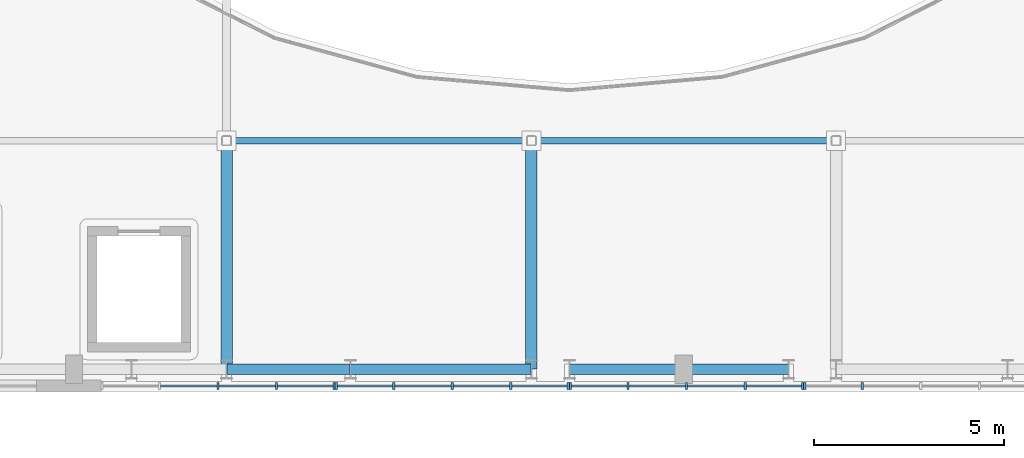
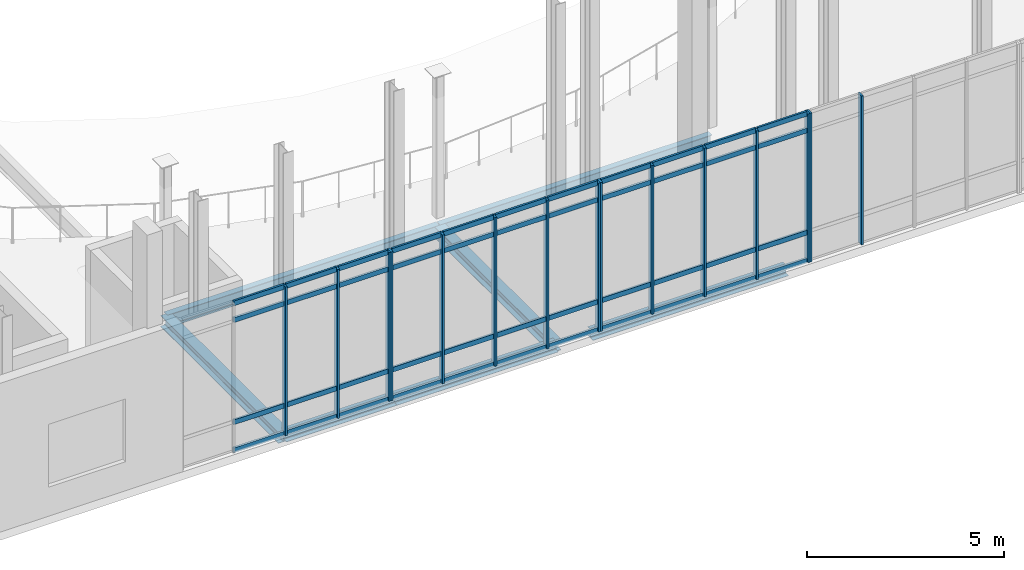
# One storey, part 22 of 86: 59 members, 7 beams, 4 elements without a shape of their own.
"""IFC4 building model written with IfcOpenShell, lengths in metres."""

from ifc_helpers import new_model, si_unit, direction, frame, origin, origin_2d, place, context, subcontext, project, spatial, rectangle, i_section, extrude, material, material_profile, profile_set, type_object, element, aggregate, save


model = new_model("IFC4")

# Units and contexts
model_context = context("Model", 3, precision=1e-05, world=origin(), true_north=direction((0.0, 1.0)))
body_context = subcontext(model_context, "Body", "Model", "MODEL_VIEW")
ifc_project = project(units=[si_unit("LENGTHUNIT", "METRE"), si_unit("AREAUNIT", "SQUARE_METRE"), si_unit("VOLUMEUNIT", "CUBIC_METRE"), si_unit("PLANEANGLEUNIT", "RADIAN"), si_unit("MASSUNIT", "GRAM", prefix="KILO")], contexts=[model_context])

# Site, building, storey
site_placement = place(None, origin())
site = spatial("IfcSite", under=ifc_project, at=site_placement, CompositionType="ELEMENT")
building_placement = place(site_placement, origin())
building = spatial("IfcBuilding", under=site, at=building_placement, Name="Cymarion Research Institute", CompositionType="ELEMENT")
storey_placement = place(building_placement, frame((0.0, 0.0, 13.800048828125)))
storey = spatial("IfcBuildingStorey", under=building, at=storey_placement, Name="L03", CompositionType="ELEMENT", Elevation=13.800048828125)

# Curtain wall, members
ifc_material_1 = material(Name="Anodised aluminium unitised curtain wall with Low-E glazing", Category="aluminium")
curtain_wall_type = type_object("IfcCurtainWallType", Name="UNITISED CURTAIN WALL CW27 6150X4620", PredefinedType="NOTDEFINED", material=ifc_material_1)
curtain_wall_1_placement = place(storey_placement, origin())
curtain_wall_1 = element("IfcCurtainWall", 1, at=curtain_wall_1_placement, inside=storey, type_object=curtain_wall_type, Name="L03 V2 unitised curtain wall CW27 #131", PredefinedType="NOTDEFINED")
ifc_material_2 = material(Name="Anodised aluminium framing", Category="aluminium")
ifc_material_profile_1 = material_profile(ifc_material_2, rectangle(XDim=0.06005859375, YDim=0.179931640625, at=origin_2d()), Name="ALU MULLION 60x180")
ifc_profile_set_1 = profile_set([ifc_material_profile_1], Name="Anodised aluminium framing")
member_type_1 = type_object("IfcMemberType", Name="CURTAIN WALL MULLION ML01 60X180", PredefinedType="MULLION", material=ifc_profile_set_1)
member_1_placement = place(storey_placement, frame((70.375732421875, 5.06005859375, 0.0), z_axis=(0.0, 0.0, 1.0), x_axis=(1.0, 0.0, 0.0)))
member_1 = element("IfcMember", 2, at=member_1_placement, type_object=member_type_1, Name="CW27 mullion 3", PredefinedType="MULLION", context=body_context, shape_type="SweptSolid", body=[
    extrude(rectangle(XDim=0.06005859375, YDim=0.179931640625, at=origin_2d()), origin(), (0.0, 0.0, 1.0), 4.619873046875),
])
member_2_placement = place(storey_placement, frame((71.9130859375, 5.06005859375, 0.0), z_axis=(0.0, 0.0, 1.0), x_axis=(1.0, 0.0, 0.0)))
member_2 = element("IfcMember", 3, at=member_2_placement, type_object=member_type_1, Name="CW27 mullion 4", PredefinedType="MULLION", context=body_context, shape_type="SweptSolid", body=[
    extrude(rectangle(XDim=0.06005859375, YDim=0.179931640625, at=origin_2d()), origin(), (0.0, 0.0, 1.0), 4.619873046875),
])
member_3_placement = place(storey_placement, frame((73.42041015625, 5.06005859375, 0.0), z_axis=(0.0, 0.0, 1.0), x_axis=(1.0, 0.0, 0.0)))
member_3 = element("IfcMember", 4, at=member_3_placement, type_object=member_type_1, Name="CW27 mullion 5", PredefinedType="MULLION", context=body_context, shape_type="SweptSolid", body=[
    extrude(rectangle(XDim=0.06005859375, YDim=0.179931640625, at=origin_2d()), origin(), (0.0, 0.0, 1.0), 4.619873046875),
])

curtain_wall_2_placement = place(storey_placement, origin())
curtain_wall_2 = element("IfcCurtainWall", 5, at=curtain_wall_2_placement, inside=storey, type_object=curtain_wall_type, Name="L03 V2 unitised curtain wall CW27 #132", PredefinedType="NOTDEFINED")
member_4_placement = place(storey_placement, frame((73.48046875, 5.06005859375, 0.0), z_axis=(0.0, 0.0, 1.0), x_axis=(1.0, 0.0, 0.0)))
member_4 = element("IfcMember", 6, at=member_4_placement, type_object=member_type_1, Name="CW27 mullion 1", PredefinedType="MULLION", context=body_context, shape_type="SweptSolid", body=[
    extrude(rectangle(XDim=0.06005859375, YDim=0.179931640625, at=origin_2d()), origin(), (0.0, 0.0, 1.0), 4.619873046875),
])
member_5_placement = place(storey_placement, frame((74.98779296875, 5.06005859375, 0.0), z_axis=(0.0, 0.0, 1.0), x_axis=(1.0, 0.0, 0.0)))
member_5 = element("IfcMember", 7, at=member_5_placement, type_object=member_type_1, Name="CW27 mullion 2", PredefinedType="MULLION", context=body_context, shape_type="SweptSolid", body=[
    extrude(rectangle(XDim=0.06005859375, YDim=0.179931640625, at=origin_2d()), origin(), (0.0, 0.0, 1.0), 4.619873046875),
])
member_6_placement = place(storey_placement, frame((76.525146484375, 5.06005859375, 0.0), z_axis=(0.0, 0.0, 1.0), x_axis=(1.0, 0.0, 0.0)))
member_6 = element("IfcMember", 8, at=member_6_placement, type_object=member_type_1, Name="CW27 mullion 3", PredefinedType="MULLION", context=body_context, shape_type="SweptSolid", body=[
    extrude(rectangle(XDim=0.06005859375, YDim=0.179931640625, at=origin_2d()), origin(), (0.0, 0.0, 1.0), 4.619873046875),
])
member_7_placement = place(storey_placement, frame((78.062744140625, 5.06005859375, 0.0), z_axis=(0.0, 0.0, 1.0), x_axis=(1.0, 0.0, 0.0)))
member_7 = element("IfcMember", 9, at=member_7_placement, type_object=member_type_1, Name="CW27 mullion 4", PredefinedType="MULLION", context=body_context, shape_type="SweptSolid", body=[
    extrude(rectangle(XDim=0.06005859375, YDim=0.179931640625, at=origin_2d()), origin(), (0.0, 0.0, 1.0), 4.619873046875),
])
member_8_placement = place(storey_placement, frame((79.570068359375, 5.06005859375, 0.0), z_axis=(0.0, 0.0, 1.0), x_axis=(1.0, 0.0, 0.0)))
member_8 = element("IfcMember", 10, at=member_8_placement, type_object=member_type_1, Name="CW27 mullion 5", PredefinedType="MULLION", context=body_context, shape_type="SweptSolid", body=[
    extrude(rectangle(XDim=0.06005859375, YDim=0.179931640625, at=origin_2d()), origin(), (0.0, 0.0, 1.0), 4.619873046875),
])

curtain_wall_3_placement = place(storey_placement, origin())
curtain_wall_3 = element("IfcCurtainWall", 11, at=curtain_wall_3_placement, inside=storey, type_object=curtain_wall_type, Name="L03 V2 unitised curtain wall CW27 #133", PredefinedType="NOTDEFINED")
member_9_placement = place(storey_placement, frame((79.6298828125, 5.06005859375, 0.0), z_axis=(0.0, 0.0, 1.0), x_axis=(1.0, 0.0, 0.0)))
member_9 = element("IfcMember", 12, at=member_9_placement, type_object=member_type_1, Name="CW27 mullion 1", PredefinedType="MULLION", context=body_context, shape_type="SweptSolid", body=[
    extrude(rectangle(XDim=0.06005859375, YDim=0.179931640625, at=origin_2d()), origin(), (0.0, 0.0, 1.0), 4.619873046875),
])
member_10_placement = place(storey_placement, frame((81.137451171875, 5.06005859375, 0.0), z_axis=(0.0, 0.0, 1.0), x_axis=(1.0, 0.0, 0.0)))
member_10 = element("IfcMember", 13, at=member_10_placement, type_object=member_type_1, Name="CW27 mullion 2", PredefinedType="MULLION", context=body_context, shape_type="SweptSolid", body=[
    extrude(rectangle(XDim=0.06005859375, YDim=0.179931640625, at=origin_2d()), origin(), (0.0, 0.0, 1.0), 4.619873046875),
])
member_11_placement = place(storey_placement, frame((82.6748046875, 5.06005859375, 0.0), z_axis=(0.0, 0.0, 1.0), x_axis=(1.0, 0.0, 0.0)))
member_11 = element("IfcMember", 14, at=member_11_placement, type_object=member_type_1, Name="CW27 mullion 3", PredefinedType="MULLION", context=body_context, shape_type="SweptSolid", body=[
    extrude(rectangle(XDim=0.06005859375, YDim=0.179931640625, at=origin_2d()), origin(), (0.0, 0.0, 1.0), 4.619873046875),
])
member_12_placement = place(storey_placement, frame((84.212158203125, 5.06005859375, 0.0), z_axis=(0.0, 0.0, 1.0), x_axis=(1.0, 0.0, 0.0)))
member_12 = element("IfcMember", 15, at=member_12_placement, type_object=member_type_1, Name="CW27 mullion 4", PredefinedType="MULLION", context=body_context, shape_type="SweptSolid", body=[
    extrude(rectangle(XDim=0.06005859375, YDim=0.179931640625, at=origin_2d()), origin(), (0.0, 0.0, 1.0), 4.619873046875),
])
member_13_placement = place(storey_placement, frame((85.719482421875, 5.06005859375, 0.0), z_axis=(0.0, 0.0, 1.0), x_axis=(1.0, 0.0, 0.0)))
member_13 = element("IfcMember", 16, at=member_13_placement, type_object=member_type_1, Name="CW27 mullion 5", PredefinedType="MULLION", context=body_context, shape_type="SweptSolid", body=[
    extrude(rectangle(XDim=0.06005859375, YDim=0.179931640625, at=origin_2d()), origin(), (0.0, 0.0, 1.0), 4.619873046875),
])

curtain_wall_4_placement = place(storey_placement, origin())
curtain_wall_4 = element("IfcCurtainWall", 17, at=curtain_wall_4_placement, inside=storey, type_object=curtain_wall_type, Name="L03 V2 unitised curtain wall CW27 #134", PredefinedType="NOTDEFINED")
member_14_placement = place(storey_placement, frame((85.779541015625, 5.06005859375, 0.0), z_axis=(0.0, 0.0, 1.0), x_axis=(1.0, 0.0, 0.0)))
member_14 = element("IfcMember", 18, at=member_14_placement, type_object=member_type_1, Name="CW27 mullion 1", PredefinedType="MULLION", context=body_context, shape_type="SweptSolid", body=[
    extrude(rectangle(XDim=0.06005859375, YDim=0.179931640625, at=origin_2d()), origin(), (0.0, 0.0, 1.0), 4.619873046875),
])
member_15_placement = place(storey_placement, frame((87.286865234375, 5.06005859375, 0.0), z_axis=(0.0, 0.0, 1.0), x_axis=(1.0, 0.0, 0.0)))
member_15 = element("IfcMember", 19, at=member_15_placement, type_object=member_type_1, Name="CW27 mullion 2", PredefinedType="MULLION", context=body_context, shape_type="SweptSolid", body=[
    extrude(rectangle(XDim=0.06005859375, YDim=0.179931640625, at=origin_2d()), origin(), (0.0, 0.0, 1.0), 4.619873046875),
])
aggregate(curtain_wall_4, [member_14, member_15])

# Member
ifc_material_profile_2 = material_profile(ifc_material_2, rectangle(XDim=0.06005859375, YDim=0.14990234375, at=origin_2d()), Name="ALU TRANSOM 60x150")
ifc_profile_set_2 = profile_set([ifc_material_profile_2], Name="Anodised aluminium framing")
member_type_2 = type_object("IfcMemberType", Name="CURTAIN WALL TRANSOM TR01 60X150", PredefinedType="USERDEFINED", material=ifc_profile_set_2)
member_16_placement = place(storey_placement, frame((68.868408203125, 5.06005859375, 0.030029296875), z_axis=(1.0, 0.0, 0.0), x_axis=(0.0, 1.0, 0.0)))
member_16 = element("IfcMember", 20, at=member_16_placement, type_object=member_type_2, Name="CW27 transom 2.1", ObjectType="TRANSOM", PredefinedType="USERDEFINED", context=body_context, shape_type="SweptSolid", body=[
    extrude(rectangle(XDim=0.06005859375, YDim=0.14990234375, at=origin_2d()), origin(), (0.0, 0.0, 1.0), 1.477294921875),
])

member_17_placement = place(storey_placement, frame((68.868408203125, 5.06005859375, 0.89990234375), z_axis=(1.0, 0.0, 0.0), x_axis=(0.0, 1.0, 0.0)))
member_17 = element("IfcMember", 21, at=member_17_placement, type_object=member_type_2, Name="CW27 transom 2.2", ObjectType="TRANSOM", PredefinedType="USERDEFINED", context=body_context, shape_type="SweptSolid", body=[
    extrude(rectangle(XDim=0.06005859375, YDim=0.14990234375, at=origin_2d()), origin(), (0.0, 0.0, 1.0), 1.477294921875),
])

member_18_placement = place(storey_placement, frame((68.868408203125, 5.06005859375, 4.070068359375), z_axis=(1.0, 0.0, 0.0), x_axis=(0.0, 1.0, 0.0)))
member_18 = element("IfcMember", 22, at=member_18_placement, type_object=member_type_2, Name="CW27 transom 2.3", ObjectType="TRANSOM", PredefinedType="USERDEFINED", context=body_context, shape_type="SweptSolid", body=[
    extrude(rectangle(XDim=0.06005859375, YDim=0.14990234375, at=origin_2d()), origin(), (0.0, 0.0, 1.0), 1.477294921875),
])

member_19_placement = place(storey_placement, frame((68.868408203125, 5.06005859375, 4.58984375), z_axis=(1.0, 0.0, 0.0), x_axis=(0.0, 1.0, 0.0)))
member_19 = element("IfcMember", 23, at=member_19_placement, type_object=member_type_2, Name="CW27 transom 2.4", ObjectType="TRANSOM", PredefinedType="USERDEFINED", context=body_context, shape_type="SweptSolid", body=[
    extrude(rectangle(XDim=0.06005859375, YDim=0.14990234375, at=origin_2d()), origin(), (0.0, 0.0, 1.0), 1.477294921875),
])

member_20_placement = place(storey_placement, frame((70.40576171875, 5.06005859375, 0.030029296875), z_axis=(1.0, 0.0, 0.0), x_axis=(0.0, 1.0, 0.0)))
member_20 = element("IfcMember", 24, at=member_20_placement, type_object=member_type_2, Name="CW27 transom 3.1", ObjectType="TRANSOM", PredefinedType="USERDEFINED", context=body_context, shape_type="SweptSolid", body=[
    extrude(rectangle(XDim=0.06005859375, YDim=0.14990234375, at=origin_2d()), origin(), (0.0, 0.0, 1.0), 1.477294921875),
])

member_21_placement = place(storey_placement, frame((70.40576171875, 5.06005859375, 0.89990234375), z_axis=(1.0, 0.0, 0.0), x_axis=(0.0, 1.0, 0.0)))
member_21 = element("IfcMember", 25, at=member_21_placement, type_object=member_type_2, Name="CW27 transom 3.2", ObjectType="TRANSOM", PredefinedType="USERDEFINED", context=body_context, shape_type="SweptSolid", body=[
    extrude(rectangle(XDim=0.06005859375, YDim=0.14990234375, at=origin_2d()), origin(), (0.0, 0.0, 1.0), 1.477294921875),
])

member_22_placement = place(storey_placement, frame((70.40576171875, 5.06005859375, 4.070068359375), z_axis=(1.0, 0.0, 0.0), x_axis=(0.0, 1.0, 0.0)))
member_22 = element("IfcMember", 26, at=member_22_placement, type_object=member_type_2, Name="CW27 transom 3.3", ObjectType="TRANSOM", PredefinedType="USERDEFINED", context=body_context, shape_type="SweptSolid", body=[
    extrude(rectangle(XDim=0.06005859375, YDim=0.14990234375, at=origin_2d()), origin(), (0.0, 0.0, 1.0), 1.477294921875),
])

member_23_placement = place(storey_placement, frame((70.40576171875, 5.06005859375, 4.58984375), z_axis=(1.0, 0.0, 0.0), x_axis=(0.0, 1.0, 0.0)))
member_23 = element("IfcMember", 27, at=member_23_placement, type_object=member_type_2, Name="CW27 transom 3.4", ObjectType="TRANSOM", PredefinedType="USERDEFINED", context=body_context, shape_type="SweptSolid", body=[
    extrude(rectangle(XDim=0.06005859375, YDim=0.14990234375, at=origin_2d()), origin(), (0.0, 0.0, 1.0), 1.477294921875),
])

member_24_placement = place(storey_placement, frame((71.943115234375, 5.06005859375, 0.030029296875), z_axis=(1.0, 0.0, 0.0), x_axis=(0.0, 1.0, 0.0)))
member_24 = element("IfcMember", 28, at=member_24_placement, type_object=member_type_2, Name="CW27 transom 4.1", ObjectType="TRANSOM", PredefinedType="USERDEFINED", context=body_context, shape_type="SweptSolid", body=[
    extrude(rectangle(XDim=0.06005859375, YDim=0.14990234375, at=origin_2d()), origin(), (0.0, 0.0, 1.0), 1.447265625),
])

member_25_placement = place(storey_placement, frame((71.943115234375, 5.06005859375, 0.89990234375), z_axis=(1.0, 0.0, 0.0), x_axis=(0.0, 1.0, 0.0)))
member_25 = element("IfcMember", 29, at=member_25_placement, type_object=member_type_2, Name="CW27 transom 4.2", ObjectType="TRANSOM", PredefinedType="USERDEFINED", context=body_context, shape_type="SweptSolid", body=[
    extrude(rectangle(XDim=0.06005859375, YDim=0.14990234375, at=origin_2d()), origin(), (0.0, 0.0, 1.0), 1.447265625),
])

member_26_placement = place(storey_placement, frame((71.943115234375, 5.06005859375, 4.070068359375), z_axis=(1.0, 0.0, 0.0), x_axis=(0.0, 1.0, 0.0)))
member_26 = element("IfcMember", 30, at=member_26_placement, type_object=member_type_2, Name="CW27 transom 4.3", ObjectType="TRANSOM", PredefinedType="USERDEFINED", context=body_context, shape_type="SweptSolid", body=[
    extrude(rectangle(XDim=0.06005859375, YDim=0.14990234375, at=origin_2d()), origin(), (0.0, 0.0, 1.0), 1.447265625),
])

member_27_placement = place(storey_placement, frame((71.943115234375, 5.06005859375, 4.58984375), z_axis=(1.0, 0.0, 0.0), x_axis=(0.0, 1.0, 0.0)))
member_27 = element("IfcMember", 31, at=member_27_placement, type_object=member_type_2, Name="CW27 transom 4.4", ObjectType="TRANSOM", PredefinedType="USERDEFINED", context=body_context, shape_type="SweptSolid", body=[
    extrude(rectangle(XDim=0.06005859375, YDim=0.14990234375, at=origin_2d()), origin(), (0.0, 0.0, 1.0), 1.447265625),
])

aggregate(curtain_wall_1, [member_1, member_2, member_3, member_16, member_17, member_18, member_19, member_20, member_21, member_22, member_23, member_24, member_25, member_26, member_27])

member_28_placement = place(storey_placement, frame((73.510498046875, 5.06005859375, 0.030029296875), z_axis=(1.0, 0.0, 0.0), x_axis=(0.0, 1.0, 0.0)))
member_28 = element("IfcMember", 32, at=member_28_placement, type_object=member_type_2, Name="CW27 transom 1.1", ObjectType="TRANSOM", PredefinedType="USERDEFINED", context=body_context, shape_type="SweptSolid", body=[
    extrude(rectangle(XDim=0.06005859375, YDim=0.14990234375, at=origin_2d()), origin(), (0.0, 0.0, 1.0), 1.447265625),
])

member_29_placement = place(storey_placement, frame((73.510498046875, 5.06005859375, 0.89990234375), z_axis=(1.0, 0.0, 0.0), x_axis=(0.0, 1.0, 0.0)))
member_29 = element("IfcMember", 33, at=member_29_placement, type_object=member_type_2, Name="CW27 transom 1.2", ObjectType="TRANSOM", PredefinedType="USERDEFINED", context=body_context, shape_type="SweptSolid", body=[
    extrude(rectangle(XDim=0.06005859375, YDim=0.14990234375, at=origin_2d()), origin(), (0.0, 0.0, 1.0), 1.447265625),
])

member_30_placement = place(storey_placement, frame((73.510498046875, 5.06005859375, 4.070068359375), z_axis=(1.0, 0.0, 0.0), x_axis=(0.0, 1.0, 0.0)))
member_30 = element("IfcMember", 34, at=member_30_placement, type_object=member_type_2, Name="CW27 transom 1.3", ObjectType="TRANSOM", PredefinedType="USERDEFINED", context=body_context, shape_type="SweptSolid", body=[
    extrude(rectangle(XDim=0.06005859375, YDim=0.14990234375, at=origin_2d()), origin(), (0.0, 0.0, 1.0), 1.447265625),
])

member_31_placement = place(storey_placement, frame((73.510498046875, 5.06005859375, 4.58984375), z_axis=(1.0, 0.0, 0.0), x_axis=(0.0, 1.0, 0.0)))
member_31 = element("IfcMember", 35, at=member_31_placement, type_object=member_type_2, Name="CW27 transom 1.4", ObjectType="TRANSOM", PredefinedType="USERDEFINED", context=body_context, shape_type="SweptSolid", body=[
    extrude(rectangle(XDim=0.06005859375, YDim=0.14990234375, at=origin_2d()), origin(), (0.0, 0.0, 1.0), 1.447265625),
])

member_32_placement = place(storey_placement, frame((75.017822265625, 5.06005859375, 0.030029296875), z_axis=(1.0, 0.0, 0.0), x_axis=(0.0, 1.0, 0.0)))
member_32 = element("IfcMember", 36, at=member_32_placement, type_object=member_type_2, Name="CW27 transom 2.1", ObjectType="TRANSOM", PredefinedType="USERDEFINED", context=body_context, shape_type="SweptSolid", body=[
    extrude(rectangle(XDim=0.06005859375, YDim=0.14990234375, at=origin_2d()), origin(), (0.0, 0.0, 1.0), 1.4775390625),
])

member_33_placement = place(storey_placement, frame((75.017822265625, 5.06005859375, 0.89990234375), z_axis=(1.0, 0.0, 0.0), x_axis=(0.0, 1.0, 0.0)))
member_33 = element("IfcMember", 37, at=member_33_placement, type_object=member_type_2, Name="CW27 transom 2.2", ObjectType="TRANSOM", PredefinedType="USERDEFINED", context=body_context, shape_type="SweptSolid", body=[
    extrude(rectangle(XDim=0.06005859375, YDim=0.14990234375, at=origin_2d()), origin(), (0.0, 0.0, 1.0), 1.4775390625),
])

member_34_placement = place(storey_placement, frame((75.017822265625, 5.06005859375, 4.070068359375), z_axis=(1.0, 0.0, 0.0), x_axis=(0.0, 1.0, 0.0)))
member_34 = element("IfcMember", 38, at=member_34_placement, type_object=member_type_2, Name="CW27 transom 2.3", ObjectType="TRANSOM", PredefinedType="USERDEFINED", context=body_context, shape_type="SweptSolid", body=[
    extrude(rectangle(XDim=0.06005859375, YDim=0.14990234375, at=origin_2d()), origin(), (0.0, 0.0, 1.0), 1.4775390625),
])

member_35_placement = place(storey_placement, frame((75.017822265625, 5.06005859375, 4.58984375), z_axis=(1.0, 0.0, 0.0), x_axis=(0.0, 1.0, 0.0)))
member_35 = element("IfcMember", 39, at=member_35_placement, type_object=member_type_2, Name="CW27 transom 2.4", ObjectType="TRANSOM", PredefinedType="USERDEFINED", context=body_context, shape_type="SweptSolid", body=[
    extrude(rectangle(XDim=0.06005859375, YDim=0.14990234375, at=origin_2d()), origin(), (0.0, 0.0, 1.0), 1.4775390625),
])

member_36_placement = place(storey_placement, frame((76.55517578125, 5.06005859375, 0.030029296875), z_axis=(1.0, 0.0, 0.0), x_axis=(0.0, 1.0, 0.0)))
member_36 = element("IfcMember", 40, at=member_36_placement, type_object=member_type_2, Name="CW27 transom 3.1", ObjectType="TRANSOM", PredefinedType="USERDEFINED", context=body_context, shape_type="SweptSolid", body=[
    extrude(rectangle(XDim=0.06005859375, YDim=0.14990234375, at=origin_2d()), origin(), (0.0, 0.0, 1.0), 1.4775390625),
])

member_37_placement = place(storey_placement, frame((76.55517578125, 5.06005859375, 0.89990234375), z_axis=(1.0, 0.0, 0.0), x_axis=(0.0, 1.0, 0.0)))
member_37 = element("IfcMember", 41, at=member_37_placement, type_object=member_type_2, Name="CW27 transom 3.2", ObjectType="TRANSOM", PredefinedType="USERDEFINED", context=body_context, shape_type="SweptSolid", body=[
    extrude(rectangle(XDim=0.06005859375, YDim=0.14990234375, at=origin_2d()), origin(), (0.0, 0.0, 1.0), 1.4775390625),
])

member_38_placement = place(storey_placement, frame((76.55517578125, 5.06005859375, 4.070068359375), z_axis=(1.0, 0.0, 0.0), x_axis=(0.0, 1.0, 0.0)))
member_38 = element("IfcMember", 42, at=member_38_placement, type_object=member_type_2, Name="CW27 transom 3.3", ObjectType="TRANSOM", PredefinedType="USERDEFINED", context=body_context, shape_type="SweptSolid", body=[
    extrude(rectangle(XDim=0.06005859375, YDim=0.14990234375, at=origin_2d()), origin(), (0.0, 0.0, 1.0), 1.4775390625),
])

member_39_placement = place(storey_placement, frame((76.55517578125, 5.06005859375, 4.58984375), z_axis=(1.0, 0.0, 0.0), x_axis=(0.0, 1.0, 0.0)))
member_39 = element("IfcMember", 43, at=member_39_placement, type_object=member_type_2, Name="CW27 transom 3.4", ObjectType="TRANSOM", PredefinedType="USERDEFINED", context=body_context, shape_type="SweptSolid", body=[
    extrude(rectangle(XDim=0.06005859375, YDim=0.14990234375, at=origin_2d()), origin(), (0.0, 0.0, 1.0), 1.4775390625),
])

member_40_placement = place(storey_placement, frame((78.092529296875, 5.06005859375, 0.030029296875), z_axis=(1.0, 0.0, 0.0), x_axis=(0.0, 1.0, 0.0)))
member_40 = element("IfcMember", 44, at=member_40_placement, type_object=member_type_2, Name="CW27 transom 4.1", ObjectType="TRANSOM", PredefinedType="USERDEFINED", context=body_context, shape_type="SweptSolid", body=[
    extrude(rectangle(XDim=0.06005859375, YDim=0.14990234375, at=origin_2d()), origin(), (0.0, 0.0, 1.0), 1.447509765625),
])

member_41_placement = place(storey_placement, frame((78.092529296875, 5.06005859375, 0.89990234375), z_axis=(1.0, 0.0, 0.0), x_axis=(0.0, 1.0, 0.0)))
member_41 = element("IfcMember", 45, at=member_41_placement, type_object=member_type_2, Name="CW27 transom 4.2", ObjectType="TRANSOM", PredefinedType="USERDEFINED", context=body_context, shape_type="SweptSolid", body=[
    extrude(rectangle(XDim=0.06005859375, YDim=0.14990234375, at=origin_2d()), origin(), (0.0, 0.0, 1.0), 1.447509765625),
])

member_42_placement = place(storey_placement, frame((78.092529296875, 5.06005859375, 4.070068359375), z_axis=(1.0, 0.0, 0.0), x_axis=(0.0, 1.0, 0.0)))
member_42 = element("IfcMember", 46, at=member_42_placement, type_object=member_type_2, Name="CW27 transom 4.3", ObjectType="TRANSOM", PredefinedType="USERDEFINED", context=body_context, shape_type="SweptSolid", body=[
    extrude(rectangle(XDim=0.06005859375, YDim=0.14990234375, at=origin_2d()), origin(), (0.0, 0.0, 1.0), 1.447509765625),
])

member_43_placement = place(storey_placement, frame((78.092529296875, 5.06005859375, 4.58984375), z_axis=(1.0, 0.0, 0.0), x_axis=(0.0, 1.0, 0.0)))
member_43 = element("IfcMember", 47, at=member_43_placement, type_object=member_type_2, Name="CW27 transom 4.4", ObjectType="TRANSOM", PredefinedType="USERDEFINED", context=body_context, shape_type="SweptSolid", body=[
    extrude(rectangle(XDim=0.06005859375, YDim=0.14990234375, at=origin_2d()), origin(), (0.0, 0.0, 1.0), 1.447509765625),
])

aggregate(curtain_wall_2, [member_4, member_5, member_6, member_7, member_8, member_28, member_29, member_30, member_31, member_32, member_33, member_34, member_35, member_36, member_37, member_38, member_39, member_40, member_41, member_42, member_43])

member_44_placement = place(storey_placement, frame((79.659912109375, 5.06005859375, 0.030029296875), z_axis=(1.0, 0.0, 0.0), x_axis=(0.0, 1.0, 0.0)))
member_44 = element("IfcMember", 48, at=member_44_placement, type_object=member_type_2, Name="CW27 transom 1.1", ObjectType="TRANSOM", PredefinedType="USERDEFINED", context=body_context, shape_type="SweptSolid", body=[
    extrude(rectangle(XDim=0.06005859375, YDim=0.14990234375, at=origin_2d()), origin(), (0.0, 0.0, 1.0), 1.447509765625),
])

member_45_placement = place(storey_placement, frame((79.659912109375, 5.06005859375, 0.89990234375), z_axis=(1.0, 0.0, 0.0), x_axis=(0.0, 1.0, 0.0)))
member_45 = element("IfcMember", 49, at=member_45_placement, type_object=member_type_2, Name="CW27 transom 1.2", ObjectType="TRANSOM", PredefinedType="USERDEFINED", context=body_context, shape_type="SweptSolid", body=[
    extrude(rectangle(XDim=0.06005859375, YDim=0.14990234375, at=origin_2d()), origin(), (0.0, 0.0, 1.0), 1.447509765625),
])

member_46_placement = place(storey_placement, frame((79.659912109375, 5.06005859375, 4.070068359375), z_axis=(1.0, 0.0, 0.0), x_axis=(0.0, 1.0, 0.0)))
member_46 = element("IfcMember", 50, at=member_46_placement, type_object=member_type_2, Name="CW27 transom 1.3", ObjectType="TRANSOM", PredefinedType="USERDEFINED", context=body_context, shape_type="SweptSolid", body=[
    extrude(rectangle(XDim=0.06005859375, YDim=0.14990234375, at=origin_2d()), origin(), (0.0, 0.0, 1.0), 1.447509765625),
])

member_47_placement = place(storey_placement, frame((79.659912109375, 5.06005859375, 4.58984375), z_axis=(1.0, 0.0, 0.0), x_axis=(0.0, 1.0, 0.0)))
member_47 = element("IfcMember", 51, at=member_47_placement, type_object=member_type_2, Name="CW27 transom 1.4", ObjectType="TRANSOM", PredefinedType="USERDEFINED", context=body_context, shape_type="SweptSolid", body=[
    extrude(rectangle(XDim=0.06005859375, YDim=0.14990234375, at=origin_2d()), origin(), (0.0, 0.0, 1.0), 1.447509765625),
])

member_48_placement = place(storey_placement, frame((81.16748046875, 5.06005859375, 0.030029296875), z_axis=(1.0, 0.0, 0.0), x_axis=(0.0, 1.0, 0.0)))
member_48 = element("IfcMember", 52, at=member_48_placement, type_object=member_type_2, Name="CW27 transom 2.1", ObjectType="TRANSOM", PredefinedType="USERDEFINED", context=body_context, shape_type="SweptSolid", body=[
    extrude(rectangle(XDim=0.06005859375, YDim=0.14990234375, at=origin_2d()), origin(), (0.0, 0.0, 1.0), 1.477294921875),
])

member_49_placement = place(storey_placement, frame((81.16748046875, 5.06005859375, 0.89990234375), z_axis=(1.0, 0.0, 0.0), x_axis=(0.0, 1.0, 0.0)))
member_49 = element("IfcMember", 53, at=member_49_placement, type_object=member_type_2, Name="CW27 transom 2.2", ObjectType="TRANSOM", PredefinedType="USERDEFINED", context=body_context, shape_type="SweptSolid", body=[
    extrude(rectangle(XDim=0.06005859375, YDim=0.14990234375, at=origin_2d()), origin(), (0.0, 0.0, 1.0), 1.477294921875),
])

member_50_placement = place(storey_placement, frame((81.16748046875, 5.06005859375, 4.070068359375), z_axis=(1.0, 0.0, 0.0), x_axis=(0.0, 1.0, 0.0)))
member_50 = element("IfcMember", 54, at=member_50_placement, type_object=member_type_2, Name="CW27 transom 2.3", ObjectType="TRANSOM", PredefinedType="USERDEFINED", context=body_context, shape_type="SweptSolid", body=[
    extrude(rectangle(XDim=0.06005859375, YDim=0.14990234375, at=origin_2d()), origin(), (0.0, 0.0, 1.0), 1.477294921875),
])

member_51_placement = place(storey_placement, frame((81.16748046875, 5.06005859375, 4.58984375), z_axis=(1.0, 0.0, 0.0), x_axis=(0.0, 1.0, 0.0)))
member_51 = element("IfcMember", 55, at=member_51_placement, type_object=member_type_2, Name="CW27 transom 2.4", ObjectType="TRANSOM", PredefinedType="USERDEFINED", context=body_context, shape_type="SweptSolid", body=[
    extrude(rectangle(XDim=0.06005859375, YDim=0.14990234375, at=origin_2d()), origin(), (0.0, 0.0, 1.0), 1.477294921875),
])

member_52_placement = place(storey_placement, frame((82.704833984375, 5.06005859375, 0.030029296875), z_axis=(1.0, 0.0, 0.0), x_axis=(0.0, 1.0, 0.0)))
member_52 = element("IfcMember", 56, at=member_52_placement, type_object=member_type_2, Name="CW27 transom 3.1", ObjectType="TRANSOM", PredefinedType="USERDEFINED", context=body_context, shape_type="SweptSolid", body=[
    extrude(rectangle(XDim=0.06005859375, YDim=0.14990234375, at=origin_2d()), origin(), (0.0, 0.0, 1.0), 1.477294921875),
])

member_53_placement = place(storey_placement, frame((82.704833984375, 5.06005859375, 0.89990234375), z_axis=(1.0, 0.0, 0.0), x_axis=(0.0, 1.0, 0.0)))
member_53 = element("IfcMember", 57, at=member_53_placement, type_object=member_type_2, Name="CW27 transom 3.2", ObjectType="TRANSOM", PredefinedType="USERDEFINED", context=body_context, shape_type="SweptSolid", body=[
    extrude(rectangle(XDim=0.06005859375, YDim=0.14990234375, at=origin_2d()), origin(), (0.0, 0.0, 1.0), 1.477294921875),
])

member_54_placement = place(storey_placement, frame((82.704833984375, 5.06005859375, 4.070068359375), z_axis=(1.0, 0.0, 0.0), x_axis=(0.0, 1.0, 0.0)))
member_54 = element("IfcMember", 58, at=member_54_placement, type_object=member_type_2, Name="CW27 transom 3.3", ObjectType="TRANSOM", PredefinedType="USERDEFINED", context=body_context, shape_type="SweptSolid", body=[
    extrude(rectangle(XDim=0.06005859375, YDim=0.14990234375, at=origin_2d()), origin(), (0.0, 0.0, 1.0), 1.477294921875),
])

member_55_placement = place(storey_placement, frame((82.704833984375, 5.06005859375, 4.58984375), z_axis=(1.0, 0.0, 0.0), x_axis=(0.0, 1.0, 0.0)))
member_55 = element("IfcMember", 59, at=member_55_placement, type_object=member_type_2, Name="CW27 transom 3.4", ObjectType="TRANSOM", PredefinedType="USERDEFINED", context=body_context, shape_type="SweptSolid", body=[
    extrude(rectangle(XDim=0.06005859375, YDim=0.14990234375, at=origin_2d()), origin(), (0.0, 0.0, 1.0), 1.477294921875),
])

member_56_placement = place(storey_placement, frame((84.2421875, 5.06005859375, 0.030029296875), z_axis=(1.0, 0.0, 0.0), x_axis=(0.0, 1.0, 0.0)))
member_56 = element("IfcMember", 60, at=member_56_placement, type_object=member_type_2, Name="CW27 transom 4.1", ObjectType="TRANSOM", PredefinedType="USERDEFINED", context=body_context, shape_type="SweptSolid", body=[
    extrude(rectangle(XDim=0.06005859375, YDim=0.14990234375, at=origin_2d()), origin(), (0.0, 0.0, 1.0), 1.447265625),
])

member_57_placement = place(storey_placement, frame((84.2421875, 5.06005859375, 0.89990234375), z_axis=(1.0, 0.0, 0.0), x_axis=(0.0, 1.0, 0.0)))
member_57 = element("IfcMember", 61, at=member_57_placement, type_object=member_type_2, Name="CW27 transom 4.2", ObjectType="TRANSOM", PredefinedType="USERDEFINED", context=body_context, shape_type="SweptSolid", body=[
    extrude(rectangle(XDim=0.06005859375, YDim=0.14990234375, at=origin_2d()), origin(), (0.0, 0.0, 1.0), 1.447265625),
])

member_58_placement = place(storey_placement, frame((84.2421875, 5.06005859375, 4.070068359375), z_axis=(1.0, 0.0, 0.0), x_axis=(0.0, 1.0, 0.0)))
member_58 = element("IfcMember", 62, at=member_58_placement, type_object=member_type_2, Name="CW27 transom 4.3", ObjectType="TRANSOM", PredefinedType="USERDEFINED", context=body_context, shape_type="SweptSolid", body=[
    extrude(rectangle(XDim=0.06005859375, YDim=0.14990234375, at=origin_2d()), origin(), (0.0, 0.0, 1.0), 1.447265625),
])

member_59_placement = place(storey_placement, frame((84.2421875, 5.06005859375, 4.58984375), z_axis=(1.0, 0.0, 0.0), x_axis=(0.0, 1.0, 0.0)))
member_59 = element("IfcMember", 63, at=member_59_placement, type_object=member_type_2, Name="CW27 transom 4.4", ObjectType="TRANSOM", PredefinedType="USERDEFINED", context=body_context, shape_type="SweptSolid", body=[
    extrude(rectangle(XDim=0.06005859375, YDim=0.14990234375, at=origin_2d()), origin(), (0.0, 0.0, 1.0), 1.447265625),
])

aggregate(curtain_wall_3, [member_9, member_10, member_11, member_12, member_13, member_44, member_45, member_46, member_47, member_48, member_49, member_50, member_51, member_52, member_53, member_54, member_55, member_56, member_57, member_58, member_59])

# Beams
ifc_material_3 = material(Name="Steel S355", Category="steel")
ifc_material_profile_3 = material_profile(ifc_material_3, i_section(OverallWidth=0.179931640625, OverallDepth=0.39990234375, WebThickness=0.008544921875, FlangeThickness=0.013427734375, FilletRadius=0.02099609375, at=origin_2d()), Name="IPE 400")
ifc_profile_set_3 = profile_set([ifc_material_profile_3], Name="Steel S355")
beam_type_1 = type_object("IfcBeamType", Name="PRIMARY GIRDER BM05 IPE 400", PredefinedType="BEAM", material=ifc_profile_set_3)
for number, where, z_axis, x_axis, name in (
    (64, (70.60595703125, 11.5, -0.449951171875), (1.0, 0.0, 0.0), (0.0, 1.0, 0.0), "L03 V2 girder BM05 #1290"),
    (65, (78.60595703125, 11.5, -0.449951171875), (1.0, 0.0, 0.0), (0.0, 1.0, 0.0), "L03 V2 girder BM05 #1291"),
):
    element("IfcBeam", number, at=place(storey_placement, frame(where, z_axis=z_axis, x_axis=x_axis)), inside=storey, type_object=beam_type_1, Name=name, PredefinedType="BEAM", context=body_context, shape_type="SweptSolid", body=[
        extrude(i_section(OverallWidth=0.179931640625, OverallDepth=0.39990234375, WebThickness=0.008544921875, FlangeThickness=0.013427734375, FilletRadius=0.02099609375, at=origin_2d()), origin(), (0.0, 0.0, 1.0), 7.988037109375),
    ])
ifc_material_profile_4 = material_profile(ifc_material_3, i_section(OverallWidth=0.300048828125, OverallDepth=0.35009765625, WebThickness=0.010009765625, FlangeThickness=0.017578125, FilletRadius=0.027099609375, at=origin_2d()), Name="HEA 360")
ifc_profile_set_4 = profile_set([ifc_material_profile_4], Name="Steel S355")
beam_type_2 = type_object("IfcBeamType", Name="PRIMARY GIRDER BM12 HEA 360", PredefinedType="BEAM", material=ifc_profile_set_4)
for number, where, z_axis, x_axis, name in (
    (66, (70.60009765625, 5.506103515625, -0.425048828125), (0.0, 1.0, 0.0), (-1.0, 0.0, 0.0), "L03 V2 girder BM12 #1322"),
    (67, (78.60009765625, 5.506103515625, -0.425048828125), (0.0, 1.0, 0.0), (-1.0, 0.0, 0.0), "L03 V2 girder BM12 #1325"),
):
    element("IfcBeam", number, at=place(storey_placement, frame(where, z_axis=z_axis, x_axis=x_axis)), inside=storey, type_object=beam_type_2, Name=name, PredefinedType="BEAM", context=body_context, shape_type="SweptSolid", body=[
        extrude(i_section(OverallWidth=0.300048828125, OverallDepth=0.35009765625, WebThickness=0.010009765625, FlangeThickness=0.017578125, FilletRadius=0.027099609375, at=origin_2d()), origin(), (0.0, 0.0, 1.0), 5.98779296875),
    ])
ifc_material_profile_5 = material_profile(ifc_material_3, i_section(OverallWidth=0.280029296875, OverallDepth=0.27001953125, WebThickness=0.008056640625, FlangeThickness=0.012939453125, FilletRadius=0.02392578125, at=origin_2d()), Name="HEA 280")
ifc_profile_set_5 = profile_set([ifc_material_profile_5], Name="Steel S355")
beam_type_3 = type_object("IfcBeamType", Name="SPANDREL BEAM SPB02 HEA 280", PredefinedType="SPANDREL", material=ifc_profile_set_5)
beam_1_placement = place(storey_placement, frame((70.60595703125, 5.5, -0.385009765625), z_axis=(1.0, 0.0, 0.0), x_axis=(0.0, 1.0, 0.0)))
element("IfcBeam", 68, at=beam_1_placement, inside=storey, type_object=beam_type_3, Name="L03 V2 girder SPB02 #1281", PredefinedType="SPANDREL", context=body_context, shape_type="SweptSolid", body=[
    extrude(i_section(OverallWidth=0.280029296875, OverallDepth=0.27001953125, WebThickness=0.008056640625, FlangeThickness=0.012939453125, FilletRadius=0.02392578125, at=origin_2d()), origin(), (0.0, 0.0, 1.0), 3.238037109375),
])
beam_2_placement = place(storey_placement, frame((73.85595703125, 5.5, -0.385009765625), z_axis=(1.0, 0.0, 0.0), x_axis=(0.0, 1.0, 0.0)))
element("IfcBeam", 69, at=beam_2_placement, inside=storey, type_object=beam_type_3, Name="L03 V2 girder SPB02 #1282", PredefinedType="SPANDREL", context=body_context, shape_type="SweptSolid", body=[
    extrude(i_section(OverallWidth=0.280029296875, OverallDepth=0.27001953125, WebThickness=0.008056640625, FlangeThickness=0.012939453125, FilletRadius=0.02392578125, at=origin_2d()), origin(), (0.0, 0.0, 1.0), 4.738037109375),
])
beam_3_placement = place(storey_placement, frame((79.60595703125, 5.5, -0.385009765625), z_axis=(1.0, 0.0, 0.0), x_axis=(0.0, 1.0, 0.0)))
element("IfcBeam", 70, at=beam_3_placement, inside=storey, type_object=beam_type_3, Name="L03 V2 girder SPB02 #1283", PredefinedType="SPANDREL", context=body_context, shape_type="SweptSolid", body=[
    extrude(i_section(OverallWidth=0.280029296875, OverallDepth=0.27001953125, WebThickness=0.008056640625, FlangeThickness=0.012939453125, FilletRadius=0.02392578125, at=origin_2d()), origin(), (0.0, 0.0, 1.0), 5.738037109375),
])

save(model, "model.ifc")
